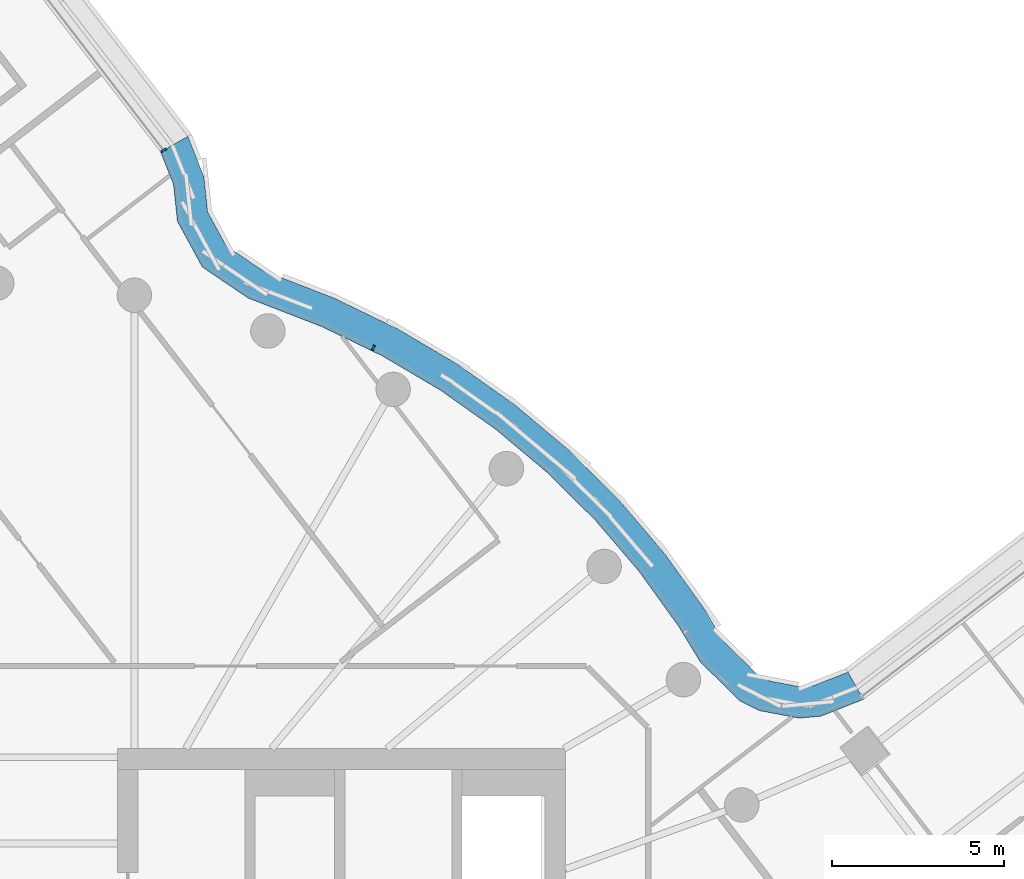
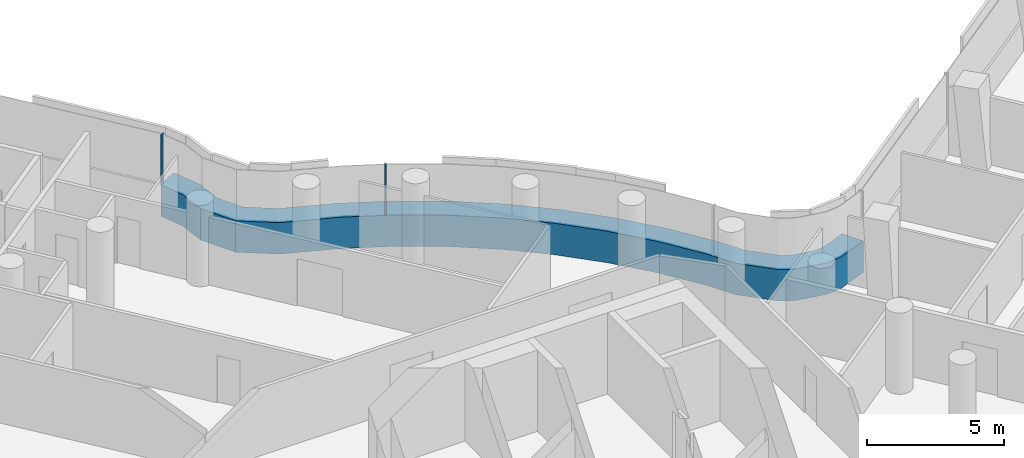
# One storey, part 15 of 33: 3 members, 2 elements without a shape of their own.
"""IFC4 building model written with IfcOpenShell, lengths in metres."""

import ifcopenshell
import ifcopenshell.guid

model = None  # the IFC model being written
_history = None  # IfcOwnerHistory: only IFC2X3 demands one
_inside = {}  # id of a spatial element -> (the spatial element, [elements in it])
_under = {}  # id of a project, library or spatial element -> (it, [spatial elements below it])
_declared = {}  # id of a project -> (the project, [libraries it declares])
_typed = {}  # id of a type object -> (the type object, [elements of that type])
_made_of = {}  # id of a material, layer set ... -> (it, [elements and type objects made of it])


def new_model(schema):
    """Start an empty IFC model of exactly this schema.

    Asked for "IFC4X3", IfcOpenShell would pick the latest addendum, in which some entities
    have other attributes; the version numbers below select the first issue.
    IFC2X3 requires an IfcOwnerHistory on every rooted entity: one is made here for all.
    """
    global model, _history
    if schema == "IFC4X3":
        model = ifcopenshell.file(schema_version=(4, 3, 0, 0))
    else:
        model = ifcopenshell.file(schema=schema)
    _inside.clear()
    _under.clear()
    _declared.clear()
    _typed.clear()
    _made_of.clear()
    _history = None
    if model.schema == "IFC2X3":
        org = make("IfcOrganization", Name="unknown")
        user = make(
            "IfcPersonAndOrganization",
            ThePerson=make("IfcPerson", FamilyName="unknown"),
            TheOrganization=org,
        )
        app = make(
            "IfcApplication",
            ApplicationDeveloper=org,
            Version="unknown",
            ApplicationFullName="unknown",
            ApplicationIdentifier="unknown",
        )
        _history = make(
            "IfcOwnerHistory",
            OwningUser=user,
            OwningApplication=app,
            ChangeAction="ADDED",
            CreationDate=0,
        )
    return model


def make(cls, **values):
    """One entity of the class cls with the attributes given. An attribute that is None is left unset."""
    return model.create_entity(
        cls, **{name: value for name, value in values.items() if value is not None}
    )


def rooted(cls, **values):
    """An entity with a GlobalId (a new one), such as an element, a storey or a relation."""
    return make(cls, GlobalId=ifcopenshell.guid.new(), OwnerHistory=_history, **values)


def si_unit(unit_type, name, prefix=None):
    """IfcSIUnit, for example si_unit("LENGTHUNIT", "METRE", prefix="MILLI")."""
    return make("IfcSIUnit", UnitType=unit_type, Prefix=prefix, Name=name)


def assignment(units):
    """IfcUnitAssignment: the units of a project."""
    return None if units is None else make("IfcUnitAssignment", Units=units)


def point(xyz):
    """IfcCartesianPoint."""
    return None if xyz is None else make("IfcCartesianPoint", Coordinates=xyz)


def direction(xyz):
    """IfcDirection."""
    return None if xyz is None else make("IfcDirection", DirectionRatios=xyz)


def frame(location, z_axis=None, x_axis=None):
    """IfcAxis2Placement3D, a coordinate frame: its origin and axes. An axis left out is left unset."""
    return make(
        "IfcAxis2Placement3D",
        Location=point(location),
        Axis=direction(z_axis),
        RefDirection=direction(x_axis),
    )


def frame_2d(location, x_axis=None):
    """IfcAxis2Placement2D, a coordinate frame in the plane: its origin and x axis."""
    return make(
        "IfcAxis2Placement2D", Location=point(location), RefDirection=direction(x_axis)
    )


def origin():
    """The frame at (0, 0, 0) with its axes left unset."""
    return frame((0.0, 0.0, 0.0))


def origin_2d():
    """The frame at (0, 0) in the plane with its x axis left unset."""
    return frame_2d((0.0, 0.0))


def place(relative_to, where):
    """IfcLocalPlacement: puts the frame where relative to a parent placement (None: the world)."""
    return make(
        "IfcLocalPlacement", PlacementRelTo=relative_to, RelativePlacement=where
    )


def context(
    kind, dimensions, precision=None, world=None, true_north=None, identifier=None
):
    """IfcGeometricRepresentationContext, for example the 3D "Model" context."""
    return make(
        "IfcGeometricRepresentationContext",
        ContextIdentifier=identifier,
        ContextType=kind,
        CoordinateSpaceDimension=dimensions,
        Precision=precision,
        WorldCoordinateSystem=world,
        TrueNorth=true_north,
    )


def subcontext(parent, identifier, kind, view, scale=None):
    """IfcGeometricRepresentationSubContext, for example "Body" below "Model"."""
    return make(
        "IfcGeometricRepresentationSubContext",
        ContextIdentifier=identifier,
        ContextType=kind,
        ParentContext=parent,
        TargetScale=scale,
        TargetView=view,
    )


def project(units=None, contexts=None):
    """IfcProject with its units and contexts."""
    return rooted(
        "IfcProject",
        Name="project",
        RepresentationContexts=contexts,
        UnitsInContext=assignment(units),
    )


def spatial(cls, under=None, at=None, **own):
    """A site, building, storey or space (cls), placed at a placement, below another one or the project."""
    s = rooted(cls, ObjectPlacement=at, **own)
    if under is not None:
        _under.setdefault(under.id(), (under, []))[1].append(s)
    return s


def polyline(points):
    """IfcPolyline through the points."""
    return make("IfcPolyline", Points=[point(p) for p in points])


def profile(cls, at=None, kind="AREA", **sizes):
    """A parametric profile (cls). Its sizes go by their IFC names, for example OverallWidth=200.0."""
    return make(cls, ProfileType=kind, Position=at, **sizes)


def rectangle(**sizes):
    """IfcRectangleProfileDef."""
    return profile("IfcRectangleProfileDef", **sizes)


def outline(outer, holes=None, kind="AREA"):
    """IfcArbitraryClosedProfileDef: a profile drawn as a closed curve; with holes, ...WithVoids."""
    if holes is None:
        return make("IfcArbitraryClosedProfileDef", ProfileType=kind, OuterCurve=outer)
    return make(
        "IfcArbitraryProfileDefWithVoids",
        ProfileType=kind,
        OuterCurve=outer,
        InnerCurves=holes,
    )


def extrude(swept, where, along, depth):
    """IfcExtrudedAreaSolid: the profile swept, set in the frame where, extruded along a direction by depth."""
    return make(
        "IfcExtrudedAreaSolid",
        SweptArea=swept,
        Position=where,
        ExtrudedDirection=direction(along),
        Depth=depth,
    )


def shape(context_of_items, identifier, shape_type, items):
    """IfcShapeRepresentation: the items that make up one representation, for example the "Body"."""
    return make(
        "IfcShapeRepresentation",
        ContextOfItems=context_of_items,
        RepresentationIdentifier=identifier,
        RepresentationType=shape_type,
        Items=items,
    )


def material(Name=None, Category=None):
    """IfcMaterial."""
    return make("IfcMaterial", Name=Name, Category=Category)


def layer(
    of_material, thickness, ventilated=None, Name=None, Category=None, Priority=None
):
    """IfcMaterialLayer: one layer of a wall or slab, of a material (None: an air gap)."""
    return make(
        "IfcMaterialLayer",
        Material=of_material,
        LayerThickness=thickness,
        IsVentilated=ventilated,
        Name=Name,
        Category=Category,
        Priority=Priority,
    )


def layer_set(layers, Name=None):
    """IfcMaterialLayerSet."""
    return make("IfcMaterialLayerSet", MaterialLayers=layers, LayerSetName=Name)


def material_profile(
    of_material, cross_section, Name=None, Category=None, Priority=None
):
    """IfcMaterialProfile: a cross section and its material."""
    return make(
        "IfcMaterialProfile",
        Name=Name,
        Material=of_material,
        Profile=cross_section,
        Priority=Priority,
        Category=Category,
    )


def profile_set(profiles, Name=None, composite=None):
    """IfcMaterialProfileSet."""
    return make(
        "IfcMaterialProfileSet",
        Name=Name,
        MaterialProfiles=profiles,
        CompositeProfile=composite,
    )


def made_of(thing, what):
    """Note that an element or type object is made of a material, layer set ...; save() writes the relation."""
    if what is not None:
        _made_of.setdefault(what.id(), (what, []))[1].append(thing)
    return thing


def type_object(cls, material=None, **own):
    """A type object (cls), such as IfcWallType, which elements share."""
    return made_of(rooted(cls, **own), material)


def element(
    cls,
    number,
    at=None,
    inside=None,
    cuts=None,
    type_object=None,
    material=None,
    context=None,
    identifier="Body",
    shape_type=None,
    held_by="IfcProductDefinitionShape",
    body=None,
    shapes=None,
    **own,
):
    """One element of the class cls, such as IfcWall. Its Tag is "e" and its number.

    at: its placement. inside: the storey or other place that contains it. cuts: it is an
    opening in that element (IfcRelVoidsElement). A single representation is given by context,
    identifier, shape_type and body (its items); several are given by shapes. held_by: the class
    of the entity that holds the representations. save() writes the other relations.
    """
    e = rooted(cls, Tag="e%d" % number, ObjectPlacement=at, **own)
    if body is not None:
        shapes = [shape(context, identifier, shape_type, body)]
    if shapes is not None:
        e.Representation = make(held_by, Representations=shapes)
    if inside is not None:
        _inside.setdefault(inside.id(), (inside, []))[1].append(e)
    if cuts is not None:
        rooted(
            "IfcRelVoidsElement", RelatingBuildingElement=cuts, RelatedOpeningElement=e
        )
    if type_object is not None:
        _typed.setdefault(type_object.id(), (type_object, []))[1].append(e)
    return made_of(e, material)


def aggregate(whole, parts):
    """IfcRelAggregates: a whole, such as a stair, and the parts it consists of."""
    return rooted("IfcRelAggregates", RelatingObject=whole, RelatedObjects=parts)


def save(model, path):
    """Write the relations noted so far, then the file.

    IfcRelAggregates (storeys below a building ...), IfcRelContainedInSpatialStructure (elements
    in a storey), IfcRelDefinesByType, IfcRelAssociatesMaterial and IfcRelDeclares: one each for
    every whole, place, type object, material and project.
    """
    for whole, parts in _under.values():
        aggregate(whole, parts)
    for where, things in _inside.values():
        rooted(
            "IfcRelContainedInSpatialStructure",
            RelatedElements=things,
            RelatingStructure=where,
        )
    for kind, things in _typed.values():
        rooted("IfcRelDefinesByType", RelatedObjects=things, RelatingType=kind)
    for what, things in _made_of.values():
        rooted("IfcRelAssociatesMaterial", RelatedObjects=things, RelatingMaterial=what)
    for by, libraries in _declared.values():
        rooted("IfcRelDeclares", RelatingContext=by, RelatedDefinitions=libraries)
    model.write(path)


model = new_model("IFC4")

# Units and contexts
model_context = context("Model", 3, precision=1e-05, world=origin(), true_north=direction((0.0, 1.0)))
body_context = subcontext(model_context, "Body", "Model", "MODEL_VIEW")
ifc_project = project(units=[si_unit("LENGTHUNIT", "METRE"), si_unit("AREAUNIT", "SQUARE_METRE"), si_unit("VOLUMEUNIT", "CUBIC_METRE"), si_unit("PLANEANGLEUNIT", "RADIAN"), si_unit("MASSUNIT", "GRAM", prefix="KILO")], contexts=[model_context])

# Site, building, storey
site_placement = place(None, origin())
site = spatial("IfcSite", under=ifc_project, at=site_placement, CompositionType="ELEMENT")
building_placement = place(site_placement, origin())
building = spatial("IfcBuilding", under=site, at=building_placement, Name="Tamarind Cross Interchange Tower", CompositionType="ELEMENT")
storey_placement = place(building_placement, frame((0.0, 0.0, 170.5)))
storey = spatial("IfcBuildingStorey", under=building, at=storey_placement, Name="L42", CompositionType="ELEMENT", Elevation=170.5)

# Curtain wall, members
ifc_material_1 = material(Name="Aluminium 6063-T6", Category="aluminium")
ifc_layer = layer(ifc_material_1, 0.159912109375)
ifc_layer_set = layer_set([ifc_layer], Name="Aluminium 6063-T6")
curtain_wall_type = type_object("IfcCurtainWallType", Name="Office curtain wall, 9.0 m bays", PredefinedType="NOTDEFINED", material=ifc_layer_set)
curtain_wall_1_placement = place(storey_placement, origin())
curtain_wall_1 = element("IfcCurtainWall", 1, at=curtain_wall_1_placement, inside=storey, type_object=curtain_wall_type, Name="CWS-L42-02", PredefinedType="NOTDEFINED")
ifc_material_2 = material(Name="Aluminium and insulated spandrel panel", Category="aluminium")
member_type_1 = type_object("IfcMemberType", Name="Floor-edge blade transom", PredefinedType="USERDEFINED", material=ifc_material_2)
member_1_placement = place(storey_placement, origin())
member_1 = element("IfcMember", 2, at=member_1_placement, type_object=member_type_1, Name="CWT-L42-02", ObjectType="TRANSOM", PredefinedType="USERDEFINED", context=body_context, shape_type="SweptSolid", body=[
    extrude(outline(polyline([(25.139892578125, 10.9267578125), (23.904296875, 10.440673828125), (23.27734375, 10.382080078125), (22.112548828125, 10.604248046875), (21.547607421875, 10.891357421875), (20.404541015625, 12.0166015625), (19.781494140625, 13.045166015625), (18.636474609375, 14.634521484375), (17.3642578125, 16.12353515625), (15.973388671875, 17.50244140625), (14.4736328125, 18.76171875), (12.874755859375, 19.892822265625), (11.188232421875, 20.88818359375), (9.424560546875, 21.74072265625), (7.288818359375, 22.569091796875), (5.9638671875, 23.468017578125), (5.24267578125, 24.792724609375), (5.12744140625, 25.8759765625), (4.75390625, 26.8076171875), (5.542724609375, 27.25830078125), (6.009033203125, 26.09521484375), (6.11865234375, 25.06591796875), (6.64990234375, 24.090087890625), (7.70947265625, 23.371337890625), (9.783935546875, 22.56689453125), (11.613525390625, 21.68212890625), (13.3642578125, 20.64892578125), (15.023681640625, 19.474853515625), (16.580810546875, 18.167724609375), (18.0244140625, 16.736572265625), (19.344970703125, 15.19091796875), (20.53271484375, 13.542236328125), (21.1162109375, 12.5791015625), (22.079833984375, 11.63037109375), (22.40673828125, 11.46435546875), (23.320556640625, 11.2900390625), (23.693603515625, 11.324951171875), (24.69287109375, 11.718017578125), (25.139892578125, 10.9267578125)])), origin(), (0.0, 0.0, 1.0), 1.39990234375),
])
ifc_material_profile = material_profile(ifc_material_1, rectangle(XDim=0.06005859375, YDim=0.159912109375, at=origin_2d()), Name="Mullion CW1")
ifc_profile_set = profile_set([ifc_material_profile], Name="Aluminium 6063-T6")
member_type_2 = type_object("IfcMemberType", Name="Mullion CW1", PredefinedType="MULLION", material=ifc_profile_set)
member_2_placement = place(storey_placement, frame((10.923828125, 21.126953125, 1.39990234375), z_axis=(0.0, 0.0, 1.0), x_axis=(-0.900272776334, 0.435326231914, 0.0)))
member_2 = element("IfcMember", 3, at=member_2_placement, type_object=member_type_2, Name="CWM-L42-02-02", PredefinedType="MULLION", context=body_context, shape_type="SweptSolid", body=[
    extrude(rectangle(XDim=0.06005859375, YDim=0.159912109375, at=origin_2d()), origin(), (0.0, 0.0, 1.0), 2.210205078125),
])
aggregate(curtain_wall_1, [member_2, member_1])

# Curtain wall, member
curtain_wall_2_placement = place(storey_placement, origin())
curtain_wall_2 = element("IfcCurtainWall", 4, at=curtain_wall_2_placement, inside=storey, type_object=curtain_wall_type, Name="CWS-L42-03", PredefinedType="NOTDEFINED")
member_3_placement = place(storey_placement, frame((4.841552734375, 26.85791015625, 1.39990234375), z_axis=(0.0, 0.0, 1.0), x_axis=(-0.495910543231, 0.868373613781, 0.0)))
member_3 = element("IfcMember", 5, at=member_3_placement, type_object=member_type_2, Name="CWM-L42-03-00", PredefinedType="MULLION", context=body_context, shape_type="SweptSolid", body=[
    extrude(rectangle(XDim=0.06005859375, YDim=0.159912109375, at=origin_2d()), origin(), (0.0, 0.0, 1.0), 2.210205078125),
])
aggregate(curtain_wall_2, [member_3])

save(model, "model.ifc")
